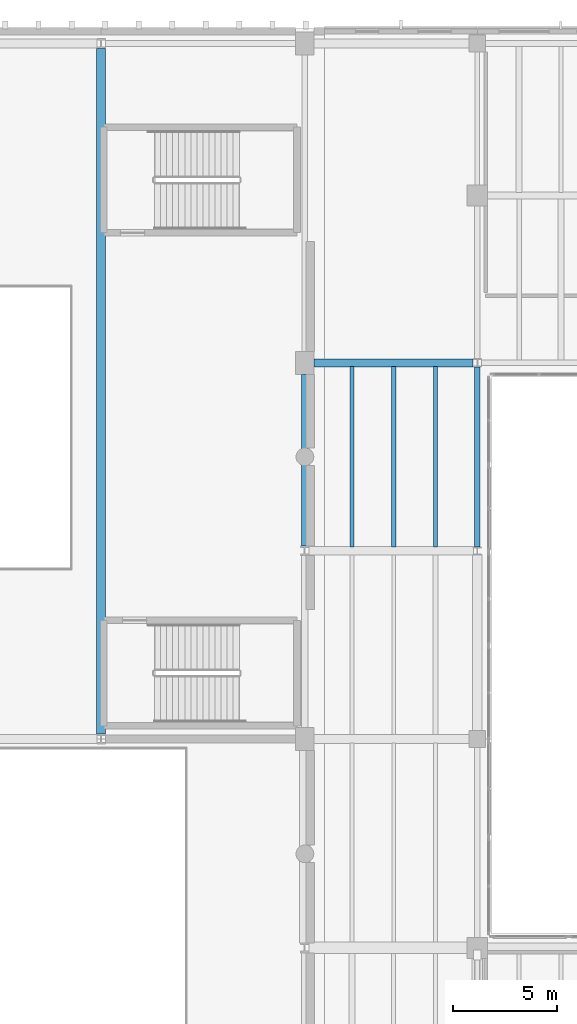
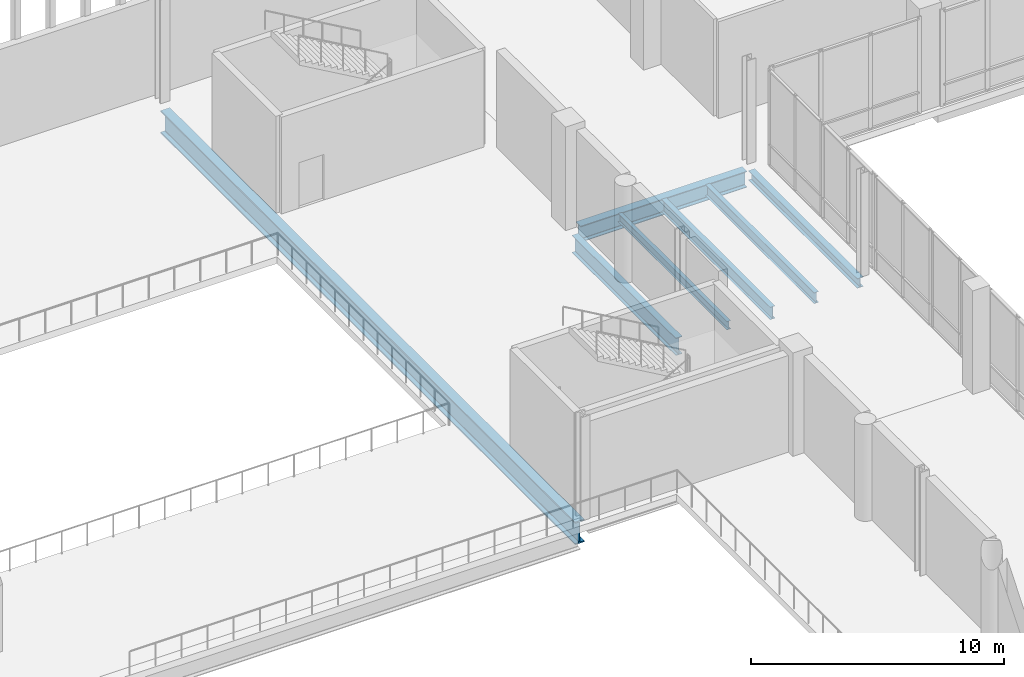
# One storey, part 39 of 81: 7 beams.
"""IFC4 building model written with IfcOpenShell, lengths in metres."""

from ifc_helpers import new_model, si_unit, direction, frame, origin, origin_2d, place, context, subcontext, project, spatial, i_section, extrude, material, material_profile, profile_set, type_object, element, save


model = new_model("IFC4")

# Units and contexts
model_context = context("Model", 3, precision=1e-05, world=origin(), true_north=direction((0.0, 1.0)))
body_context = subcontext(model_context, "Body", "Model", "MODEL_VIEW")
ifc_project = project(units=[si_unit("LENGTHUNIT", "METRE"), si_unit("AREAUNIT", "SQUARE_METRE"), si_unit("VOLUMEUNIT", "CUBIC_METRE"), si_unit("PLANEANGLEUNIT", "RADIAN"), si_unit("MASSUNIT", "GRAM", prefix="KILO")], contexts=[model_context])

# Site, building, storey
site_placement = place(None, origin())
site = spatial("IfcSite", under=ifc_project, at=site_placement, CompositionType="ELEMENT")
building_placement = place(site_placement, origin())
building = spatial("IfcBuilding", under=site, at=building_placement, Name="Trimount Lyric Opera House", CompositionType="ELEMENT")
storey_placement = place(building_placement, frame((0.0, 0.0, 5.0)))
storey = spatial("IfcBuildingStorey", under=building, at=storey_placement, Name="L01", CompositionType="ELEMENT", Elevation=5.0)

# Beams
ifc_material_1 = material(Name="Steel ASTM A992 Grade 50", Category="steel")
ifc_material_profile_1 = material_profile(ifc_material_1, i_section(OverallWidth=0.2919921875, OverallDepth=0.845947265625, WebThickness=0.015380859375, FlangeThickness=0.0244140625, FilletRadius=0.01806640625, at=origin_2d()), Name="W33X141")
ifc_profile_set_1 = profile_set([ifc_material_profile_1], Name="Steel ASTM A992 Grade 50")
beam_type_1 = type_object("IfcBeamType", Name="B-05", PredefinedType="BEAM", material=ifc_profile_set_1)
beam_1_placement = place(storey_placement, frame((113.739990234375, 93.232421875, -0.748046875), z_axis=(0.0, 1.0, 0.0), x_axis=(-1.0, 0.0, 0.0)))
element("IfcBeam", 1, at=beam_1_placement, inside=storey, type_object=beam_type_1, Name="L01 girder Y-0668", PredefinedType="BEAM", context=body_context, shape_type="SweptSolid", body=[
    extrude(i_section(OverallWidth=0.2919921875, OverallDepth=0.845947265625, WebThickness=0.015380859375, FlangeThickness=0.0244140625, FilletRadius=0.01806640625, at=origin_2d()), origin(), (0.0, 0.0, 1.0), 8.217529296875),
])
ifc_material_2 = material(Name="Steel ASTM A992 Grade 50", Category="steel")
ifc_material_profile_2 = material_profile(ifc_material_2, i_section(OverallWidth=0.382080078125, OverallDepth=0.779052734375, WebThickness=0.01806640625, FlangeThickness=0.0302734375, FilletRadius=0.01904296875, at=origin_2d()), Name="W30X191")
ifc_profile_set_2 = profile_set([ifc_material_profile_2], Name="Steel ASTM A992 Grade 50")
beam_type_2 = type_object("IfcBeamType", Name="B-06", PredefinedType="BEAM", material=ifc_profile_set_2)
beam_2_placement = place(storey_placement, frame((114.18994140625, 102.0, -0.714599609375), z_axis=(1.0, 0.0, 0.0), x_axis=(0.0, 1.0, 0.0)))
element("IfcBeam", 2, at=beam_2_placement, inside=storey, type_object=beam_type_2, Name="L01 girder X-0556", PredefinedType="BEAM", context=body_context, shape_type="SweptSolid", body=[
    extrude(i_section(OverallWidth=0.382080078125, OverallDepth=0.779052734375, WebThickness=0.01806640625, FlangeThickness=0.0302734375, FilletRadius=0.01904296875, at=origin_2d()), origin(), (0.0, 0.0, 1.0), 7.610595703125),
])
ifc_material_3 = material(Name="Steel ASTM A992 Grade 50", Category="steel")
ifc_material_profile_3 = material_profile(ifc_material_3, i_section(OverallWidth=0.22802734375, OverallDepth=0.60205078125, WebThickness=0.010498046875, FlangeThickness=0.014892578125, FilletRadius=0.012939453125, at=origin_2d()), Name="W24X68")
ifc_profile_set_3 = profile_set([ifc_material_profile_3], Name="Steel ASTM A992 Grade 50")
beam_type_3 = type_object("IfcBeamType", Name="J-01", PredefinedType="BEAM", material=ifc_profile_set_3)
beam_3_placement = place(storey_placement, frame((118.0, 93.196533203125, -0.611083984375), z_axis=(0.0, 1.0, 0.0), x_axis=(-1.0, 0.0, 0.0)))
element("IfcBeam", 3, at=beam_3_placement, inside=storey, type_object=beam_type_3, Name="L01 composite floor joist 0711", PredefinedType="BEAM", context=body_context, shape_type="SweptSolid", body=[
    extrude(i_section(OverallWidth=0.22802734375, OverallDepth=0.60205078125, WebThickness=0.010498046875, FlangeThickness=0.014892578125, FilletRadius=0.012939453125, at=origin_2d()), origin(), (0.0, 0.0, 1.0), 8.616455078125),
])
ifc_material_4 = material(Name="Steel ASTM A992 Grade 50", Category="steel")
ifc_material_profile_4 = material_profile(ifc_material_4, i_section(OverallWidth=0.2099609375, OverallDepth=0.532958984375, WebThickness=0.01025390625, FlangeThickness=0.015625, FilletRadius=0.012939453125, at=origin_2d()), Name="W21X62")
ifc_profile_set_4 = profile_set([ifc_material_profile_4], Name="Steel ASTM A992 Grade 50")
beam_type_4 = type_object("IfcBeamType", Name="J-02", PredefinedType="BEAM", material=ifc_profile_set_4)
beam_4_placement = place(storey_placement, frame((120.0, 93.196533203125, -0.576416015625), z_axis=(0.0, 1.0, 0.0), x_axis=(-1.0, 0.0, 0.0)))
element("IfcBeam", 4, at=beam_4_placement, inside=storey, type_object=beam_type_4, Name="L01 composite floor joist 0712", PredefinedType="BEAM", context=body_context, shape_type="SweptSolid", body=[
    extrude(i_section(OverallWidth=0.2099609375, OverallDepth=0.532958984375, WebThickness=0.01025390625, FlangeThickness=0.015625, FilletRadius=0.012939453125, at=origin_2d()), origin(), (0.0, 0.0, 1.0), 8.616455078125),
])
ifc_material_5 = material(Name="Steel ASTM A992 Grade 50", Category="steel")
ifc_material_profile_5 = material_profile(ifc_material_5, i_section(OverallWidth=0.177978515625, OverallDepth=0.404052734375, WebThickness=0.007568359375, FlangeThickness=0.010986328125, FilletRadius=0.010009765625, at=origin_2d()), Name="W16X36")
ifc_profile_set_5 = profile_set([ifc_material_profile_5], Name="Steel ASTM A992 Grade 50")
beam_type_5 = type_object("IfcBeamType", Name="J-06", PredefinedType="BEAM", material=ifc_profile_set_5)
beam_5_placement = place(storey_placement, frame((116.0, 93.196533203125, -0.511962890625), z_axis=(0.0, 1.0, 0.0), x_axis=(-1.0, 0.0, 0.0)))
element("IfcBeam", 5, at=beam_5_placement, inside=storey, type_object=beam_type_5, Name="L01 composite floor joist 0710", PredefinedType="BEAM", context=body_context, shape_type="SweptSolid", body=[
    extrude(i_section(OverallWidth=0.177978515625, OverallDepth=0.404052734375, WebThickness=0.007568359375, FlangeThickness=0.010986328125, FilletRadius=0.010009765625, at=origin_2d()), origin(), (0.0, 0.0, 1.0), 8.616455078125),
])
ifc_material_6 = material(Name="Steel ASTM A992 Grade 50", Category="steel")
ifc_material_profile_6 = material_profile(ifc_material_6, i_section(OverallWidth=0.281982421875, OverallDepth=0.467041015625, WebThickness=0.01220703125, FlangeThickness=0.01953125, FilletRadius=0.012939453125, at=origin_2d()), Name="W18X86")
ifc_profile_set_6 = profile_set([ifc_material_profile_6], Name="Steel ASTM A992 Grade 50")
beam_type_6 = type_object("IfcBeamType", Name="SP-01", PredefinedType="SPANDREL", material=ifc_profile_set_6)
beam_6_placement = place(storey_placement, frame((122.0, 93.18408203125, -0.54345703125), z_axis=(0.0, 1.0, 0.0), x_axis=(-1.0, 0.0, 0.0)))
element("IfcBeam", 6, at=beam_6_placement, inside=storey, type_object=beam_type_6, Name="L01 girder Y-0675", PredefinedType="SPANDREL", context=body_context, shape_type="SweptSolid", body=[
    extrude(i_section(OverallWidth=0.281982421875, OverallDepth=0.467041015625, WebThickness=0.01220703125, FlangeThickness=0.01953125, FilletRadius=0.012939453125, at=origin_2d()), origin(), (0.0, 0.0, 1.0), 8.622802734375),
])
ifc_material_7 = material(Name="Steel ASTM A992 Grade 50", Category="steel")
ifc_material_profile_7 = material_profile(ifc_material_7, i_section(OverallWidth=0.427001953125, OverallDepth=1.092041015625, WebThickness=0.031005859375, FlangeThickness=0.055908203125, FilletRadius=0.02490234375, at=origin_2d()), Name="W40X397")
ifc_profile_set_7 = profile_set([ifc_material_profile_7], Name="Steel ASTM A992 Grade 50")
beam_type_7 = type_object("IfcBeamType", Name="TG-02", PredefinedType="USERDEFINED", material=ifc_profile_set_7)
beam_7_placement = place(storey_placement, frame((104.0, 84.232421875, -0.87109375), z_axis=(0.0, 1.0, 0.0), x_axis=(-1.0, 0.0, 0.0)))
element("IfcBeam", 7, at=beam_7_placement, inside=storey, type_object=beam_type_7, Name="L01 girder Y-0661", ObjectType="TRANSFER_GIRDER", PredefinedType="USERDEFINED", context=body_context, shape_type="SweptSolid", body=[
    extrude(i_section(OverallWidth=0.427001953125, OverallDepth=1.092041015625, WebThickness=0.031005859375, FlangeThickness=0.055908203125, FilletRadius=0.02490234375, at=origin_2d()), origin(), (0.0, 0.0, 1.0), 32.815185546875),
])

save(model, "model.ifc")
